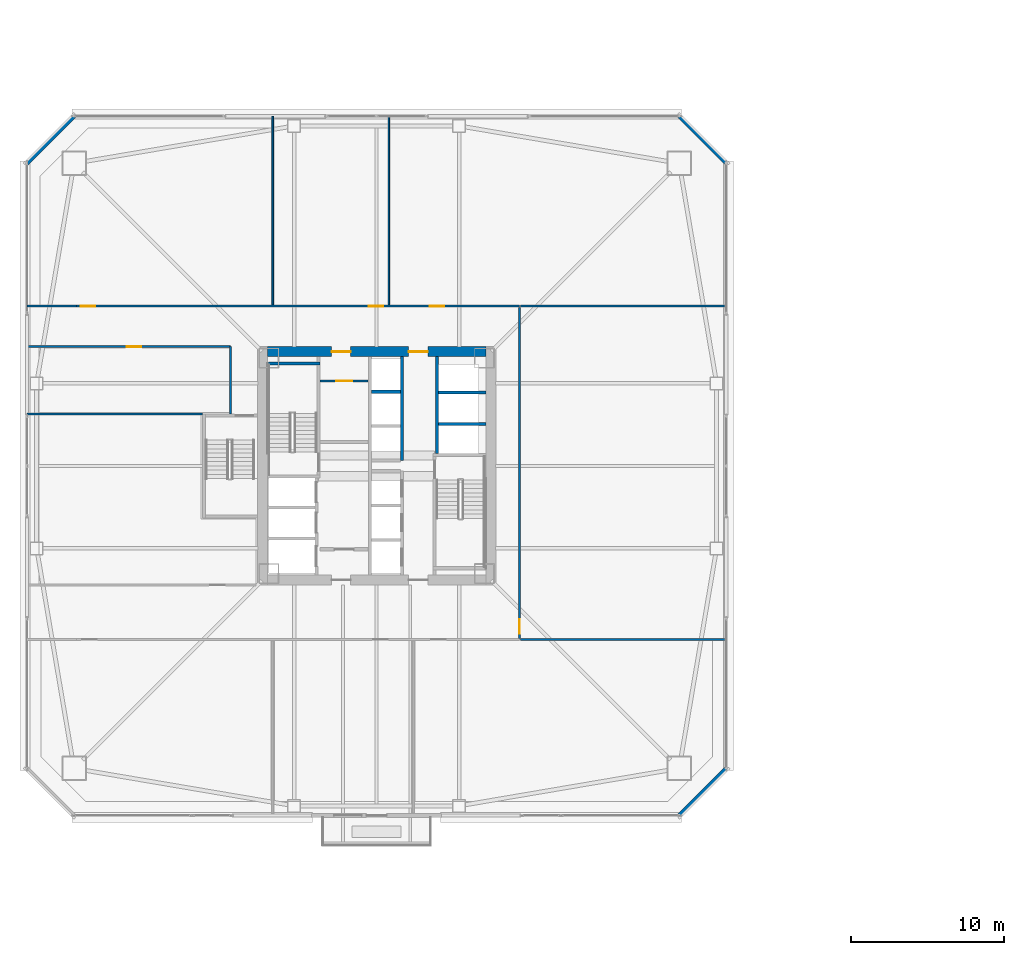
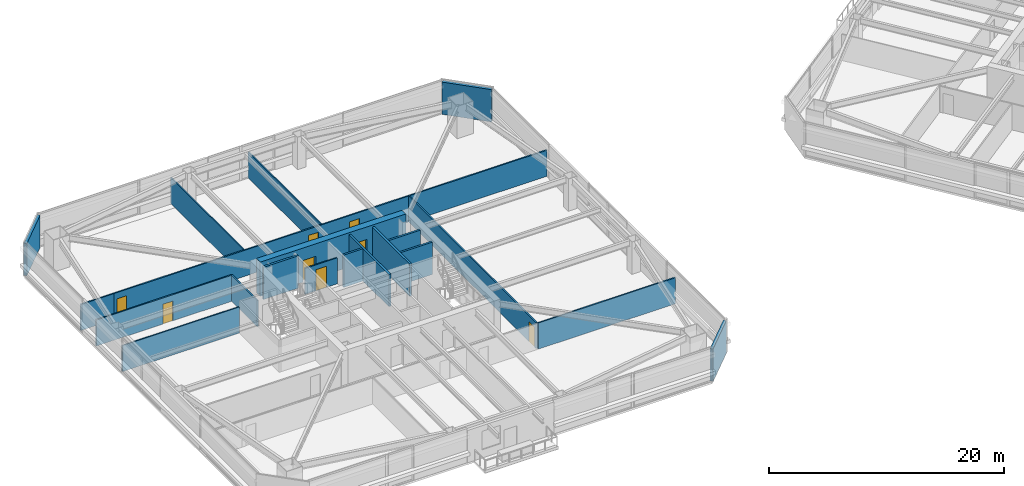
# One storey, part 34 of 45: 21 walls, 8 doors, 8 openings.
"""IFC4 building model written with IfcOpenShell, lengths in metres."""

from ifc_helpers import new_model, si_unit, direction, frame, frame_2d, origin, place, context, subcontext, project, spatial, rectangle, extrude, material, layer, layer_set, type_object, element, fill, save


model = new_model("IFC4")

# Units and contexts
model_context = context("Model", 3, precision=1e-05, world=origin(), true_north=direction((0.0, 1.0)))
body_context = subcontext(model_context, "Body", "Model", "MODEL_VIEW")
ifc_project = project(units=[si_unit("LENGTHUNIT", "METRE"), si_unit("AREAUNIT", "SQUARE_METRE"), si_unit("VOLUMEUNIT", "CUBIC_METRE"), si_unit("PLANEANGLEUNIT", "RADIAN"), si_unit("MASSUNIT", "GRAM", prefix="KILO")], contexts=[model_context])

# Site, building, storey
site_placement = place(None, origin())
site = spatial("IfcSite", under=ifc_project, at=site_placement, CompositionType="ELEMENT")
building_placement = place(site_placement, origin())
building = spatial("IfcBuilding", under=site, at=building_placement, Name="Tashvorn Skyway Center", CompositionType="ELEMENT")
storey_placement = place(building_placement, frame((0.0, 0.0, 35.25)))
storey = spatial("IfcBuildingStorey", under=building, at=storey_placement, Name="L08", CompositionType="ELEMENT", Elevation=35.25)

# Wall, openings, doors
ifc_material_1 = material(Name="Concrete C60/75", Category="concrete")
ifc_layer_1 = layer(ifc_material_1, 0.64990234375)
ifc_layer_set_1 = layer_set([ifc_layer_1], Name="Concrete C60/75")
wall_type_1 = type_object("IfcWallType", Name="WALL-CORE-650", PredefinedType="SHEAR", material=ifc_layer_set_1)
wall_1_placement = place(storey_placement, frame((34.85009765625, 39.47509765625, 0.0), z_axis=(0.0, 0.0, 1.0), x_axis=(1.0, 0.0, 0.0)))
wall_1 = element("IfcWall", 1, at=wall_1_placement, inside=storey, type_object=wall_type_1, Name="Tower 1 L08 North Core Shear Wall", PredefinedType="SHEAR", context=body_context, shape_type="SweptSolid", body=[
    extrude(rectangle(XDim=14.2998046875, YDim=0.64990234375, at=frame_2d((7.14990234375, 0.0))), origin(), (0.0, 0.0, 1.0), 3.550048828125),
])
opening_1_placement = place(wall_1_placement, frame((4.199951171875, 0.0, 0.0)))
opening_1 = element("IfcOpeningElement", 2, at=opening_1_placement, cuts=wall_1, Name="Opening D-FFL-1250", PredefinedType="OPENING", context=body_context, shape_type="SweptSolid", body=[
    extrude(rectangle(XDim=1.25, YDim=2.25, at=frame_2d((0.625, 1.125))), frame((0.0, 0.3349609375, 0.0), z_axis=(0.0, -1.0, 0.0), x_axis=(1.0, 0.0, 0.0)), (0.0, 0.0, 1.0), 0.669921875),
])
opening_2_placement = place(wall_1_placement, frame((9.25, 0.0, 0.0)))
opening_2 = element("IfcOpeningElement", 3, at=opening_2_placement, cuts=wall_1, Name="Opening D-FFL-1250", PredefinedType="OPENING", context=body_context, shape_type="SweptSolid", body=[
    extrude(rectangle(XDim=1.25, YDim=2.25, at=frame_2d((0.625, 1.125))), frame((0.0, 0.3349609375, 0.0), z_axis=(0.0, -1.0, 0.0), x_axis=(1.0, 0.0, 0.0)), (0.0, 0.0, 1.0), 0.669921875),
])
ifc_material_2 = material(Name="Hollow galvanized steel fire door assembly", Category="steel")
door_type_1 = type_object("IfcDoorType", Name="DOOR-FFL-1250", OperationType="NOTDEFINED", PredefinedType="DOOR", material=ifc_material_2)
door_1_placement = place(opening_1_placement, origin())
door_1 = element("IfcDoor", 4, at=door_1_placement, inside=storey, type_object=door_type_1, Name="Tower 1 L08 Core North Service Lobby Door", OperationType="SINGLE_SWING_LEFT", OverallHeight=2.25, OverallWidth=1.25, PredefinedType="DOOR", context=body_context, shape_type="SweptSolid", body=[
    extrude(rectangle(XDim=1.25, YDim=2.25, at=frame_2d((0.625, 1.125))), frame((0.0, 0.02490234375, 0.0), z_axis=(0.0, -1.0, 0.0), x_axis=(1.0, 0.0, 0.0)), (0.0, 0.0, 1.0), 0.050048828125),
])
fill(opening_1, door_1)
door_2_placement = place(opening_2_placement, origin())
door_2 = element("IfcDoor", 5, at=door_2_placement, inside=storey, type_object=door_type_1, Name="Tower 1 L08 Core North Lift Lobby Door", OperationType="SINGLE_SWING_RIGHT", OverallHeight=2.25, OverallWidth=1.25, PredefinedType="DOOR", context=body_context, shape_type="SweptSolid", body=[
    extrude(rectangle(XDim=1.25, YDim=2.25, at=frame_2d((0.625, 1.125))), frame((0.0, 0.02490234375, 0.0), z_axis=(0.0, -1.0, 0.0), x_axis=(1.0, 0.0, 0.0)), (0.0, 0.0, 1.0), 0.050048828125),
])
fill(opening_2, door_2)

# Walls
ifc_material_3 = material(Name="Precast concrete C40/50", Category="concrete")
ifc_layer_2 = layer(ifc_material_3, 0.280029296875)
ifc_layer_set_2 = layer_set([ifc_layer_2], Name="Precast concrete C40/50")
wall_type_2 = type_object("IfcWallType", Name="WALL-EXT-280", PredefinedType="SOLIDWALL", material=ifc_layer_set_2)
for number, where, z_axis, x_axis, name in (
    (6, (19.10009765625, 51.800048828125, 0.0), (0.0, 0.0, 1.0), (0.707106781187, 0.707106781187, 0.0), "Tower 1 L08 NW Precast Chamfer Wall"),
    (7, (61.800048828125, 54.89990234375, 0.0), (0.0, 0.0, 1.0), (0.707106781187, -0.707106781187, 0.0), "Tower 1 L08 NE Precast Chamfer Wall"),
    (8, (64.89990234375, 12.199951171875, 0.0), (0.0, 0.0, 1.0), (-0.707106781187, -0.707106781187, 0.0), "Tower 1 L08 SE Precast Chamfer Wall"),
):
    element("IfcWall", number, at=place(storey_placement, frame(where, z_axis=z_axis, x_axis=x_axis)), inside=storey, type_object=wall_type_2, Name=name, PredefinedType="SOLIDWALL", context=body_context, shape_type="SweptSolid", body=[
        extrude(rectangle(XDim=4.3837890625, YDim=0.280029296875, at=frame_2d((2.19189453125, 0.0))), origin(), (0.0, 0.0, 1.0), 3.35009765625),
    ])
ifc_material_4 = material(Name="Gypsum board on cold-formed steel stud framing", Category="steel")
ifc_layer_3 = layer(ifc_material_4, 0.110107421875)
ifc_layer_set_3 = layer_set([ifc_layer_3], Name="Gypsum board on cold-formed steel stud framing")
wall_type_3 = type_object("IfcWallType", Name="WALL-PART-110", PredefinedType="PARTITIONING", material=ifc_layer_set_3)
for number, where, z_axis, x_axis, name in (
    (9, (35.199951171875, 42.530029296875, 0.0), (0.0, 0.0, 1.0), (0.0, 1.0, 0.0), "Tower 1 L08 North Suite Partition 1"),
    (10, (42.800048828125, 42.530029296875, 0.0), (0.0, 0.0, 1.0), (0.0, 1.0, 0.0), "Tower 1 L08 North Suite Partition 2"),
):
    element("IfcWall", number, at=place(storey_placement, frame(where, z_axis=z_axis, x_axis=x_axis)), inside=storey, type_object=wall_type_3, Name=name, PredefinedType="PARTITIONING", context=body_context, shape_type="SweptSolid", body=[
        extrude(rectangle(XDim=12.349853515625, YDim=0.110107421875, at=frame_2d((6.1748046875, 0.0))), origin(), (0.0, 0.0, 1.0), 2.702880859375),
    ])
wall_2_placement = place(storey_placement, frame((30.60009765625, 35.39990234375, 0.0), z_axis=(0.0, 0.0, 1.0), x_axis=(-1.0, 0.0, 0.0)))
element("IfcWall", 11, at=wall_2_placement, inside=storey, type_object=wall_type_3, Name="Tower 1 L08 West Suite Partition 1", PredefinedType="PARTITIONING", context=body_context, shape_type="SweptSolid", body=[
    extrude(rectangle(XDim=11.47998046875, YDim=0.110107421875, at=frame_2d((5.739990234375, 0.0))), origin(), (0.0, 0.0, 1.0), 2.702880859375),
])
ifc_layer_4 = layer(ifc_material_4, 0.135009765625)
ifc_layer_set_4 = layer_set([ifc_layer_4], Name="Gypsum board on cold-formed steel stud framing")
wall_type_4 = type_object("IfcWallType", Name="WALL-PART-135", PredefinedType="PARTITIONING", material=ifc_layer_set_4)
wall_3_placement = place(storey_placement, frame((32.449951171875, 35.39990234375, 0.0), z_axis=(0.0, 0.0, 1.0), x_axis=(0.0, 1.0, 0.0)))
element("IfcWall", 12, at=wall_3_placement, inside=storey, type_object=wall_type_4, Name="Tower 1 L08 Stair 3 Access Corridor Wall", PredefinedType="PARTITIONING", context=body_context, shape_type="SweptSolid", body=[
    extrude(rectangle(XDim=4.400146484375, YDim=0.135009765625, at=frame_2d((2.2001953125, 0.0))), origin(), (0.0, 0.0, 1.0), 2.702880859375),
])

# Wall, openings, doors
wall_4_placement = place(storey_placement, frame((22.35009765625, 42.449951171875, 0.0), z_axis=(0.0, 0.0, 1.0), x_axis=(1.0, 0.0, 0.0)))
wall_4 = element("IfcWall", 13, at=wall_4_placement, inside=storey, type_object=wall_type_4, Name="Tower 1 L08 North Suite Wall", PredefinedType="PARTITIONING", context=body_context, shape_type="SweptSolid", body=[
    extrude(rectangle(XDim=29.0, YDim=0.135009765625, at=frame_2d((14.5, 0.0))), origin(), (0.0, 0.0, 1.0), 2.702880859375),
])
opening_3_placement = place(wall_4_placement, frame((0.300048828125, 0.0, 0.0)))
opening_3 = element("IfcOpeningElement", 14, at=opening_3_placement, cuts=wall_4, Name="Opening D-INT-950", PredefinedType="OPENING", context=body_context, shape_type="SweptSolid", body=[
    extrude(rectangle(XDim=0.949951171875, YDim=2.050048828125, at=frame_2d((0.47509765625, 1.02490234375))), frame((0.0, 0.077392578125, 0.0), z_axis=(0.0, -1.0, 0.0), x_axis=(1.0, 0.0, 0.0)), (0.0, 0.0, 1.0), 0.155029296875),
])
opening_4_placement = place(wall_4_placement, frame((19.1201171875, 0.0, 0.0)))
opening_4 = element("IfcOpeningElement", 15, at=opening_4_placement, cuts=wall_4, Name="Opening D-INT-950", PredefinedType="OPENING", context=body_context, shape_type="SweptSolid", body=[
    extrude(rectangle(XDim=0.949951171875, YDim=2.050048828125, at=frame_2d((0.47509765625, 1.02490234375))), frame((0.0, 0.077392578125, 0.0), z_axis=(0.0, -1.0, 0.0), x_axis=(1.0, 0.0, 0.0)), (0.0, 0.0, 1.0), 0.155029296875),
])
opening_5_placement = place(wall_4_placement, frame((23.13671875, 0.0, 0.0)))
opening_5 = element("IfcOpeningElement", 16, at=opening_5_placement, cuts=wall_4, Name="Opening D-INT-950", PredefinedType="OPENING", context=body_context, shape_type="SweptSolid", body=[
    extrude(rectangle(XDim=0.949951171875, YDim=2.050048828125, at=frame_2d((0.47509765625, 1.02490234375))), frame((0.0, 0.077392578125, 0.0), z_axis=(0.0, -1.0, 0.0), x_axis=(1.0, 0.0, 0.0)), (0.0, 0.0, 1.0), 0.155029296875),
])
ifc_material_5 = material(Name="Solid-core architectural oak veneer door")
door_type_2 = type_object("IfcDoorType", Name="DOOR-INT-950", OperationType="NOTDEFINED", PredefinedType="DOOR", material=ifc_material_5)
door_3_placement = place(opening_3_placement, origin())
door_3 = element("IfcDoor", 17, at=door_3_placement, inside=storey, type_object=door_type_2, Name="Tower 1 L08 Gallery Showroom Door", OperationType="SINGLE_SWING_LEFT", OverallHeight=2.050048828125, OverallWidth=0.949951171875, PredefinedType="DOOR", context=body_context, shape_type="SweptSolid", body=[
    extrude(rectangle(XDim=0.949951171875, YDim=2.050048828125, at=frame_2d((0.47509765625, 1.02490234375))), frame((0.0, 0.02490234375, 0.0), z_axis=(0.0, -1.0, 0.0), x_axis=(1.0, 0.0, 0.0)), (0.0, 0.0, 1.0), 0.050048828125),
])
fill(opening_3, door_3)
door_4_placement = place(opening_4_placement, origin())
door_4 = element("IfcDoor", 18, at=door_4_placement, inside=storey, type_object=door_type_2, Name="Tower 1 L08 Gallery Showroom Door", OperationType="SINGLE_SWING_RIGHT", OverallHeight=2.050048828125, OverallWidth=0.949951171875, PredefinedType="DOOR", context=body_context, shape_type="SweptSolid", body=[
    extrude(rectangle(XDim=0.949951171875, YDim=2.050048828125, at=frame_2d((0.47509765625, 1.02490234375))), frame((0.0, 0.02490234375, 0.0), z_axis=(0.0, -1.0, 0.0), x_axis=(1.0, 0.0, 0.0)), (0.0, 0.0, 1.0), 0.050048828125),
])
fill(opening_4, door_4)
door_5_placement = place(opening_5_placement, origin())
door_5 = element("IfcDoor", 19, at=door_5_placement, inside=storey, type_object=door_type_2, Name="Tower 1 L08 Reading Lounge Door", OperationType="SINGLE_SWING_LEFT", OverallHeight=2.050048828125, OverallWidth=0.949951171875, PredefinedType="DOOR", context=body_context, shape_type="SweptSolid", body=[
    extrude(rectangle(XDim=0.949951171875, YDim=2.050048828125, at=frame_2d((0.47509765625, 1.02490234375))), frame((0.0, 0.02490234375, 0.0), z_axis=(0.0, -1.0, 0.0), x_axis=(1.0, 0.0, 0.0)), (0.0, 0.0, 1.0), 0.050048828125),
])
fill(opening_5, door_5)

# Wall
wall_5_placement = place(storey_placement, frame((19.1201171875, 42.449951171875, 0.0), z_axis=(0.0, 0.0, 1.0), x_axis=(1.0, 0.0, 0.0)))
element("IfcWall", 20, at=wall_5_placement, inside=storey, type_object=wall_type_4, Name="Tower 1 L08 North-West Suite South Wall", PredefinedType="PARTITIONING", context=body_context, shape_type="SweptSolid", body=[
    extrude(rectangle(XDim=3.22998046875, YDim=0.135009765625, at=frame_2d((1.614990234375, 0.0))), origin(), (0.0, 0.0, 1.0), 2.702880859375),
])

# Wall, opening, door
wall_6_placement = place(storey_placement, frame((51.35009765625, 42.3701171875, 0.0), z_axis=(0.0, 0.0, 1.0), x_axis=(0.0, -1.0, 0.0)))
wall_6 = element("IfcWall", 21, at=wall_6_placement, inside=storey, type_object=wall_type_4, Name="Tower 1 L08 East Inner Suite Wall", PredefinedType="PARTITIONING", context=body_context, shape_type="SweptSolid", body=[
    extrude(rectangle(XDim=21.66015625, YDim=0.135009765625, at=frame_2d((10.830078125, 0.0))), origin(), (0.0, 0.0, 1.0), 2.702880859375),
])
opening_6_placement = place(wall_6_placement, frame((20.409912109375, 0.0, 0.0)))
opening_6 = element("IfcOpeningElement", 22, at=opening_6_placement, cuts=wall_6, Name="Opening D-INT-950", PredefinedType="OPENING", context=body_context, shape_type="SweptSolid", body=[
    extrude(rectangle(XDim=0.949951171875, YDim=2.050048828125, at=frame_2d((0.47509765625, 1.02490234375))), frame((0.0, 0.077392578125, 0.0), z_axis=(0.0, -1.0, 0.0), x_axis=(1.0, 0.0, 0.0)), (0.0, 0.0, 1.0), 0.155029296875),
])
door_6_placement = place(opening_6_placement, origin())
door_6 = element("IfcDoor", 23, at=door_6_placement, inside=storey, type_object=door_type_2, Name="Tower 1 L08 Conference Room Door", OperationType="SINGLE_SWING_LEFT", OverallHeight=2.050048828125, OverallWidth=0.949951171875, PredefinedType="DOOR", context=body_context, shape_type="SweptSolid", body=[
    extrude(rectangle(XDim=0.949951171875, YDim=2.050048828125, at=frame_2d((0.47509765625, 1.02490234375))), frame((0.0, 0.02490234375, 0.0), z_axis=(0.0, -1.0, 0.0), x_axis=(1.0, 0.0, 0.0)), (0.0, 0.0, 1.0), 0.050048828125),
])
fill(opening_6, door_6)

# Walls
for number, where, z_axis, x_axis, name in (
    (24, (64.8798828125, 42.449951171875, 0.0), (0.0, 0.0, 1.0), (-1.0, 0.0, 0.0), "Tower 1 L08 East Suite North Wall"),
    (25, (51.429931640625, 20.6298828125, 0.0), (0.0, 0.0, 1.0), (1.0, 0.0, 0.0), "Tower 1 L08 East Suite South Wall"),
):
    element("IfcWall", number, at=place(storey_placement, frame(where, z_axis=z_axis, x_axis=x_axis)), inside=storey, type_object=wall_type_4, Name=name, PredefinedType="PARTITIONING", context=body_context, shape_type="SweptSolid", body=[
        extrude(rectangle(XDim=13.449951171875, YDim=0.135009765625, at=frame_2d((6.72509765625, 0.0))), origin(), (0.0, 0.0, 1.0), 2.702880859375),
    ])

# Wall, opening, door
wall_7_placement = place(storey_placement, frame((32.449951171875, 39.800048828125, 0.0), z_axis=(0.0, 0.0, 1.0), x_axis=(-1.0, 0.0, 0.0)))
wall_7 = element("IfcWall", 26, at=wall_7_placement, inside=storey, type_object=wall_type_4, Name="Tower 1 L08 West Suite North Wall", PredefinedType="PARTITIONING", context=body_context, shape_type="SweptSolid", body=[
    extrude(rectangle(XDim=13.329833984375, YDim=0.135009765625, at=frame_2d((6.6650390625, 0.0))), origin(), (0.0, 0.0, 1.0), 2.702880859375),
])
opening_7_placement = place(wall_7_placement, frame((5.840087890625, 0.0, 0.0)))
opening_7 = element("IfcOpeningElement", 27, at=opening_7_placement, cuts=wall_7, Name="Opening D-INT-950", PredefinedType="OPENING", context=body_context, shape_type="SweptSolid", body=[
    extrude(rectangle(XDim=0.949951171875, YDim=2.050048828125, at=frame_2d((0.47509765625, 1.02490234375))), frame((0.0, 0.077392578125, 0.0), z_axis=(0.0, -1.0, 0.0), x_axis=(1.0, 0.0, 0.0)), (0.0, 0.0, 1.0), 0.155029296875),
])
door_7_placement = place(opening_7_placement, origin())
door_7 = element("IfcDoor", 28, at=door_7_placement, inside=storey, type_object=door_type_2, Name="Tower 1 L08 Collaborative Studio Door", OperationType="SINGLE_SWING_RIGHT", OverallHeight=2.050048828125, OverallWidth=0.949951171875, PredefinedType="DOOR", context=body_context, shape_type="SweptSolid", body=[
    extrude(rectangle(XDim=0.949951171875, YDim=2.050048828125, at=frame_2d((0.47509765625, 1.02490234375))), frame((0.0, 0.02490234375, 0.0), z_axis=(0.0, -1.0, 0.0), x_axis=(1.0, 0.0, 0.0)), (0.0, 0.0, 1.0), 0.050048828125),
])
fill(opening_7, door_7)

ifc_layer_5 = layer(ifc_material_4, 0.135009765625)
ifc_layer_set_5 = layer_set([ifc_layer_5], Name="Gypsum board on cold-formed steel stud framing")
wall_type_5 = type_object("IfcWallType", Name="WALL-RATED-135", PredefinedType="PARTITIONING", material=ifc_layer_set_5)
wall_8_placement = place(storey_placement, frame((38.300048828125, 37.550048828125, 0.0), z_axis=(0.0, 0.0, 1.0), x_axis=(1.0, 0.0, 0.0)))
wall_8 = element("IfcWall", 29, at=wall_8_placement, inside=storey, type_object=wall_type_5, Name="Tower 1 L08 Core Service Lobby Wall", PredefinedType="PARTITIONING", context=body_context, shape_type="SweptSolid", body=[
    extrude(rectangle(XDim=3.14990234375, YDim=0.135009765625, at=frame_2d((1.574951171875, 0.0))), origin(), (0.0, 0.0, 1.0), 2.702880859375),
])
opening_8_placement = place(wall_8_placement, frame((1.050048828125, 0.0, 0.0)))
opening_8 = element("IfcOpeningElement", 30, at=opening_8_placement, cuts=wall_8, Name="Opening D-RT-1050", PredefinedType="OPENING", context=body_context, shape_type="SweptSolid", body=[
    extrude(rectangle(XDim=1.050048828125, YDim=2.199951171875, at=frame_2d((0.52490234375, 1.10009765625))), frame((0.0, 0.077392578125, 0.0), z_axis=(0.0, -1.0, 0.0), x_axis=(1.0, 0.0, 0.0)), (0.0, 0.0, 1.0), 0.155029296875),
])
door_type_3 = type_object("IfcDoorType", Name="DOOR-RATED-1050", OperationType="NOTDEFINED", PredefinedType="DOOR", material=ifc_material_2)
door_8_placement = place(opening_8_placement, origin())
door_8 = element("IfcDoor", 31, at=door_8_placement, inside=storey, type_object=door_type_3, Name="Tower 1 L08 Core Accessible WC Door", OperationType="SINGLE_SWING_LEFT", OverallHeight=2.199951171875, OverallWidth=1.050048828125, PredefinedType="DOOR", context=body_context, shape_type="SweptSolid", body=[
    extrude(rectangle(XDim=1.050048828125, YDim=2.199951171875, at=frame_2d((0.52490234375, 1.10009765625))), frame((0.0, 0.02490234375, 0.0), z_axis=(0.0, -1.0, 0.0), x_axis=(1.0, 0.0, 0.0)), (0.0, 0.0, 1.0), 0.050048828125),
])
fill(opening_8, door_8)

# Walls
ifc_material_6 = material(Name="Concrete C40/50", Category="concrete")
ifc_layer_6 = layer(ifc_material_6, 0.199951171875)
ifc_layer_set_6 = layer_set([ifc_layer_6], Name="Concrete C40/50")
wall_type_6 = type_object("IfcWallType", Name="WALL-SHAFT-200", PredefinedType="SOLIDWALL", material=ifc_layer_set_6)
for number, where, z_axis, x_axis, name in (
    (32, (46.050048828125, 34.75, 0.0), (0.0, 0.0, 1.0), (1.0, 0.0, 0.0), "Tower 1 L08 High-Rise Shaft Divider"),
    (33, (46.050048828125, 36.800048828125, 0.0), (0.0, 0.0, 1.0), (1.0, 0.0, 0.0), "Tower 1 L08 High-Rise Shaft Divider"),
):
    element("IfcWall", number, at=place(storey_placement, frame(where, z_axis=z_axis, x_axis=x_axis)), inside=storey, type_object=wall_type_6, Name=name, PredefinedType="SOLIDWALL", context=body_context, shape_type="SweptSolid", body=[
        extrude(rectangle(XDim=3.099853515625, YDim=0.199951171875, at=frame_2d((1.5498046875, 0.0))), origin(), (0.0, 0.0, 1.0), 3.35009765625),
    ])
wall_9_placement = place(storey_placement, frame((43.64990234375, 32.35009765625, 0.0), z_axis=(0.0, 0.0, 1.0), x_axis=(0.0, 1.0, 0.0)))
element("IfcWall", 34, at=wall_9_placement, inside=storey, type_object=wall_type_6, Name="Tower 1 L08 Mid-Rise Core Wall", PredefinedType="SOLIDWALL", context=body_context, shape_type="SweptSolid", body=[
    extrude(rectangle(XDim=6.7998046875, YDim=0.199951171875, at=frame_2d((3.39990234375, 0.0))), origin(), (0.0, 0.0, 1.0), 3.35009765625),
])
wall_10_placement = place(storey_placement, frame((41.669921875, 36.85009765625, 0.0), z_axis=(0.0, 0.0, 1.0), x_axis=(1.0, 0.0, 0.0)))
element("IfcWall", 35, at=wall_10_placement, inside=storey, type_object=wall_type_6, Name="Tower 1 L08 Mid-Rise Shaft Divider", PredefinedType="SOLIDWALL", context=body_context, shape_type="SweptSolid", body=[
    extrude(rectangle(XDim=1.880126953125, YDim=0.199951171875, at=frame_2d((0.93994140625, 0.0))), origin(), (0.0, 0.0, 1.0), 3.35009765625),
])
ifc_layer_7 = layer(ifc_material_6, 0.199951171875)
ifc_layer_set_7 = layer_set([ifc_layer_7], Name="Concrete C40/50")
wall_type_7 = type_object("IfcWallType", Name="WALL-STSHF-200", PredefinedType="SHEAR", material=ifc_layer_set_7)
wall_11_placement = place(storey_placement, frame((34.85009765625, 38.699951171875, 0.0), z_axis=(0.0, 0.0, 1.0), x_axis=(1.0, 0.0, 0.0)))
element("IfcWall", 36, at=wall_11_placement, inside=storey, type_object=wall_type_7, Name="Tower 1 L08 Stair 1 North Wall", PredefinedType="SHEAR", context=body_context, shape_type="SweptSolid", body=[
    extrude(rectangle(XDim=3.449951171875, YDim=0.199951171875, at=frame_2d((1.72509765625, 0.0))), origin(), (0.0, 0.0, 1.0), 3.35009765625),
])
wall_12_placement = place(storey_placement, frame((45.949951171875, 39.14990234375, 0.0), z_axis=(0.0, 0.0, 1.0), x_axis=(0.0, -1.0, 0.0)))
element("IfcWall", 37, at=wall_12_placement, inside=storey, type_object=wall_type_7, Name="Tower 1 L08 High-Rise Lift Shaft Front Wall", PredefinedType="SHEAR", context=body_context, shape_type="SweptSolid", body=[
    extrude(rectangle(XDim=6.349853515625, YDim=0.199951171875, at=frame_2d((3.1748046875, 0.0))), origin(), (0.0, 0.0, 1.0), 3.35009765625),
])

save(model, "model.ifc")
